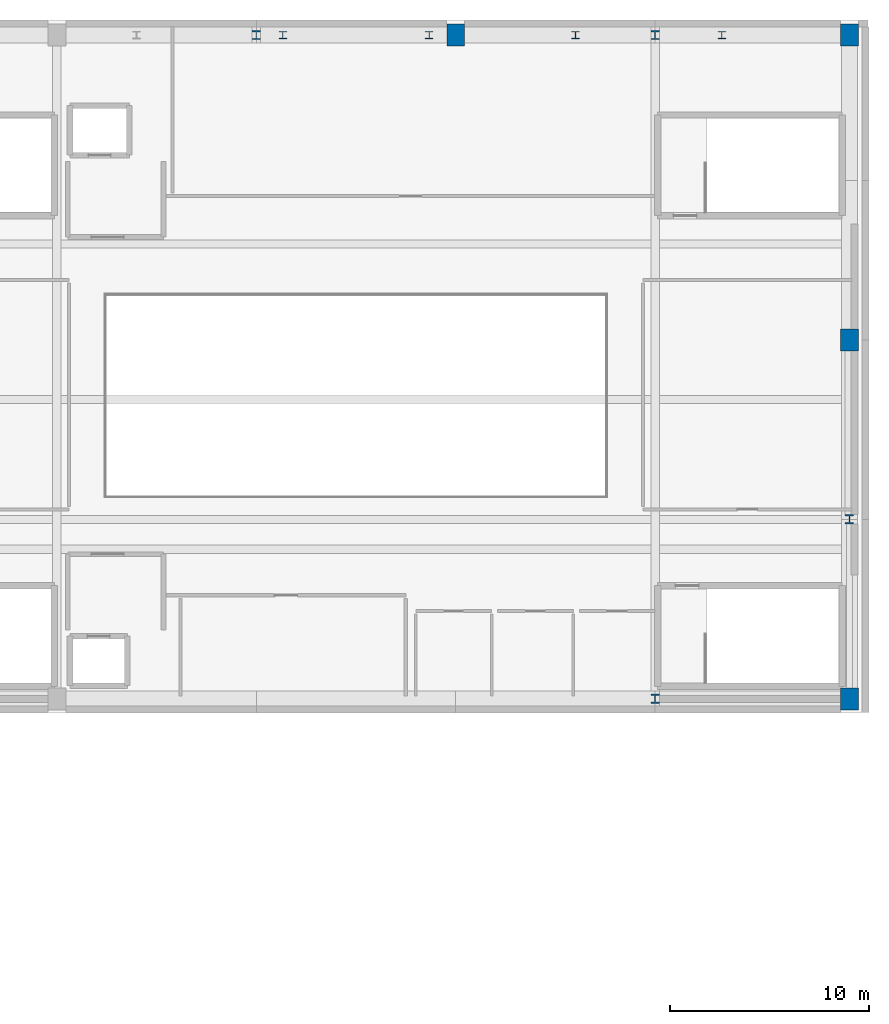
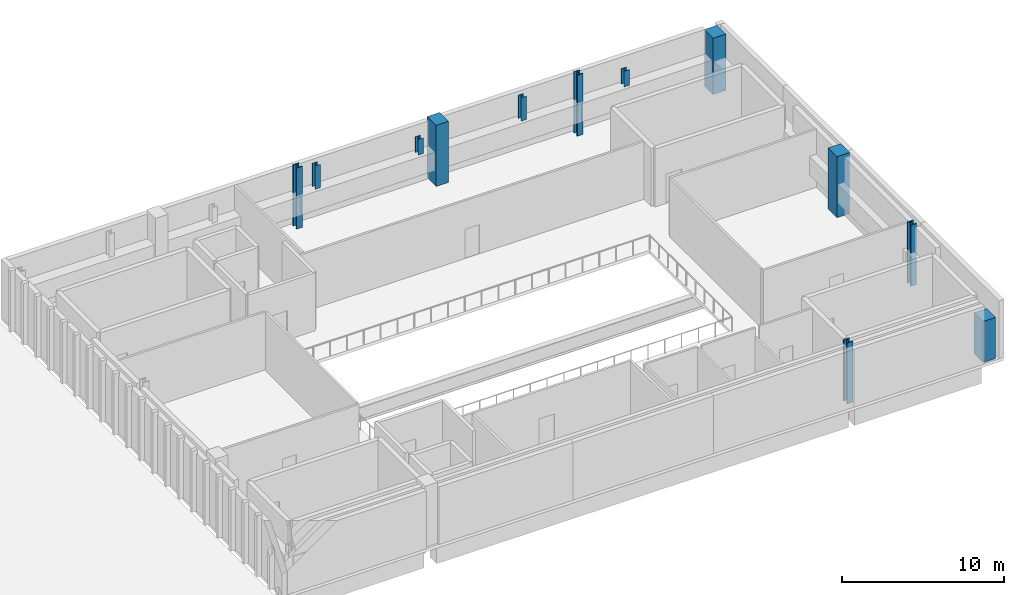
# One storey, part 2 of 8: 12 columns.
"""IFC4 building model written with IfcOpenShell, lengths in metres."""

from ifc_helpers import new_model, si_unit, direction, frame, origin, origin_2d, place, context, subcontext, project, spatial, rectangle, i_section, extrude, material, material_profile, profile_set, type_object, element, save


model = new_model("IFC4")

# Units and contexts
model_context = context("Model", 3, precision=1e-05, world=origin(), true_north=direction((0.0, 1.0)))
body_context = subcontext(model_context, "Body", "Model", "MODEL_VIEW")
ifc_project = project(units=[si_unit("LENGTHUNIT", "METRE"), si_unit("AREAUNIT", "SQUARE_METRE"), si_unit("VOLUMEUNIT", "CUBIC_METRE"), si_unit("PLANEANGLEUNIT", "RADIAN"), si_unit("MASSUNIT", "GRAM", prefix="KILO")], contexts=[model_context])

# Site, building, storey
site_placement = place(None, origin())
site = spatial("IfcSite", under=ifc_project, at=site_placement, CompositionType="ELEMENT")
building_placement = place(site_placement, origin())
building = spatial("IfcBuilding", under=site, at=building_placement, Name="Trimount Lyric Opera House", CompositionType="ELEMENT")
storey_placement = place(building_placement, frame((0.0, 0.0, 29.60009765625)))
storey = spatial("IfcBuildingStorey", under=building, at=storey_placement, Name="L06", CompositionType="ELEMENT", Elevation=29.60009765625)

# Columns
ifc_material_1 = material(Name="Steel ASTM A992 Grade 50", Category="steel")
ifc_material_profile_1 = material_profile(ifc_material_1, i_section(OverallWidth=0.422119140625, OverallDepth=0.465087890625, WebThickness=0.044921875, FlangeThickness=0.072509765625, FilletRadius=0.02001953125, at=origin_2d()), Name="W14X398")
ifc_profile_set_1 = profile_set([ifc_material_profile_1], Name="Steel ASTM A992 Grade 50")
column_type_1 = type_object("IfcColumnType", Name="C-01", PredefinedType="COLUMN", material=ifc_profile_set_1)
for number, where, z_axis, x_axis, name in (
    (1, (84.0, 117.280029296875, 0.0), (0.0, 0.0, 1.0), (1.0, 0.0, 0.0), "L06 column 10/P"),
    (2, (104.0, 84.0, 0.0), (0.0, 0.0, 1.0), (1.0, 0.0, 0.0), "L06 column 12/K"),
    (3, (104.0, 117.280029296875, 0.0), (0.0, 0.0, 1.0), (1.0, 0.0, 0.0), "L06 column 12/P"),
    (4, (113.739990234375, 93.0, 0.0), (0.0, 0.0, 1.0), (1.0, 0.0, 0.0), "L06 column 13/L"),
):
    element("IfcColumn", number, at=place(storey_placement, frame(where, z_axis=z_axis, x_axis=x_axis)), inside=storey, type_object=column_type_1, Name=name, PredefinedType="COLUMN", context=body_context, shape_type="SweptSolid", body=[
        extrude(i_section(OverallWidth=0.422119140625, OverallDepth=0.465087890625, WebThickness=0.044921875, FlangeThickness=0.072509765625, FilletRadius=0.02001953125, at=origin_2d()), origin(), (0.0, 0.0, 1.0), 4.599853515625),
    ])
ifc_material_2 = material(Name="Steel ASTM A992 Grade 50", Category="steel")
ifc_material_profile_2 = material_profile(ifc_material_2, i_section(OverallWidth=0.367919921875, OverallDepth=0.35595703125, WebThickness=0.01123046875, FlangeThickness=0.01806640625, FilletRadius=0.014892578125, at=origin_2d()), Name="W14X90")
ifc_profile_set_2 = profile_set([ifc_material_profile_2], Name="Steel ASTM A992 Grade 50")
column_type_2 = type_object("IfcColumnType", Name="C-05", PredefinedType="COLUMN", material=ifc_profile_set_2)
column_1_placement = place(storey_placement, frame((85.33154296875, 117.280029296875, 2.5), z_axis=(0.0, 0.0, 1.0), x_axis=(1.0, 0.0, 0.0)))
element("IfcColumn", 5, at=column_1_placement, inside=storey, type_object=column_type_2, Name="L06 fly-tower north eave post 4N", PredefinedType="COLUMN", context=body_context, shape_type="SweptSolid", body=[
    extrude(i_section(OverallWidth=0.367919921875, OverallDepth=0.35595703125, WebThickness=0.01123046875, FlangeThickness=0.01806640625, FilletRadius=0.014892578125, at=origin_2d()), origin(), (0.0, 0.0, 1.0), 1.75634765625),
])
column_2_placement = place(storey_placement, frame((92.66845703125, 117.280029296875, 2.5), z_axis=(0.0, 0.0, 1.0), x_axis=(1.0, 0.0, 0.0)))
element("IfcColumn", 6, at=column_2_placement, inside=storey, type_object=column_type_2, Name="L06 fly-tower north eave post 5N", PredefinedType="COLUMN", context=body_context, shape_type="SweptSolid", body=[
    extrude(i_section(OverallWidth=0.367919921875, OverallDepth=0.35595703125, WebThickness=0.01123046875, FlangeThickness=0.01806640625, FilletRadius=0.014892578125, at=origin_2d()), origin(), (0.0, 0.0, 1.0), 1.1865234375),
])
column_3_placement = place(storey_placement, frame((100.005615234375, 117.280029296875, 2.5), z_axis=(0.0, 0.0, 1.0), x_axis=(1.0, 0.0, 0.0)))
element("IfcColumn", 7, at=column_3_placement, inside=storey, type_object=column_type_2, Name="L06 fly-tower north eave post 6N", PredefinedType="COLUMN", context=body_context, shape_type="SweptSolid", body=[
    extrude(i_section(OverallWidth=0.367919921875, OverallDepth=0.35595703125, WebThickness=0.01123046875, FlangeThickness=0.01806640625, FilletRadius=0.014892578125, at=origin_2d()), origin(), (0.0, 0.0, 1.0), 1.75634765625),
])
column_4_placement = place(storey_placement, frame((107.3427734375, 117.280029296875, 2.5), z_axis=(0.0, 0.0, 1.0), x_axis=(1.0, 0.0, 0.0)))
element("IfcColumn", 8, at=column_4_placement, inside=storey, type_object=column_type_2, Name="L06 fly-tower north eave post 7N", PredefinedType="COLUMN", context=body_context, shape_type="SweptSolid", body=[
    extrude(i_section(OverallWidth=0.367919921875, OverallDepth=0.35595703125, WebThickness=0.01123046875, FlangeThickness=0.01806640625, FilletRadius=0.014892578125, at=origin_2d()), origin(), (0.0, 0.0, 1.0), 1.1865234375),
])
ifc_material_3 = material(Name="Concrete C50/60", Category="concrete")
ifc_material_profile_3 = material_profile(ifc_material_3, rectangle(XDim=0.89990234375, YDim=1.10009765625, at=origin_2d()), Name="RC1100X900")
ifc_profile_set_3 = profile_set([ifc_material_profile_3], Name="Concrete C50/60")
column_type_3 = type_object("IfcColumnType", Name="C-11", PredefinedType="COLUMN", material=ifc_profile_set_3)
column_5_placement = place(storey_placement, frame((94.0, 117.280029296875, 0.0), z_axis=(0.0, 0.0, 1.0), x_axis=(1.0, 0.0, 0.0)))
element("IfcColumn", 9, at=column_5_placement, inside=storey, type_object=column_type_3, Name="L06 column 11/P", PredefinedType="COLUMN", context=body_context, shape_type="SweptSolid", body=[
    extrude(rectangle(XDim=0.89990234375, YDim=1.10009765625, at=origin_2d()), origin(), (0.0, 0.0, 1.0), 4.599853515625),
])
column_6_placement = place(storey_placement, frame((113.739990234375, 84.0, 0.0), z_axis=(0.0, 0.0, 1.0), x_axis=(1.0, 0.0, 0.0)))
element("IfcColumn", 10, at=column_6_placement, inside=storey, type_object=column_type_3, Name="L06 column 13/K", PredefinedType="COLUMN", context=body_context, shape_type="SweptSolid", body=[
    extrude(rectangle(XDim=0.89990234375, YDim=1.10009765625, at=origin_2d()), origin(), (0.0, 0.0, 1.0), 3.099853515625),
])
column_7_placement = place(storey_placement, frame((113.739990234375, 102.0, 0.0), z_axis=(0.0, 0.0, 1.0), x_axis=(1.0, 0.0, 0.0)))
element("IfcColumn", 11, at=column_7_placement, inside=storey, type_object=column_type_3, Name="L06 column 13/M", PredefinedType="COLUMN", context=body_context, shape_type="SweptSolid", body=[
    extrude(rectangle(XDim=0.89990234375, YDim=1.10009765625, at=origin_2d()), origin(), (0.0, 0.0, 1.0), 4.599853515625),
])
column_8_placement = place(storey_placement, frame((113.739990234375, 117.280029296875, 0.0), z_axis=(0.0, 0.0, 1.0), x_axis=(1.0, 0.0, 0.0)))
element("IfcColumn", 12, at=column_8_placement, inside=storey, type_object=column_type_3, Name="L06 column 13/P", PredefinedType="COLUMN", context=body_context, shape_type="SweptSolid", body=[
    extrude(rectangle(XDim=0.89990234375, YDim=1.10009765625, at=origin_2d()), origin(), (0.0, 0.0, 1.0), 4.25),
])

save(model, "model.ifc")
